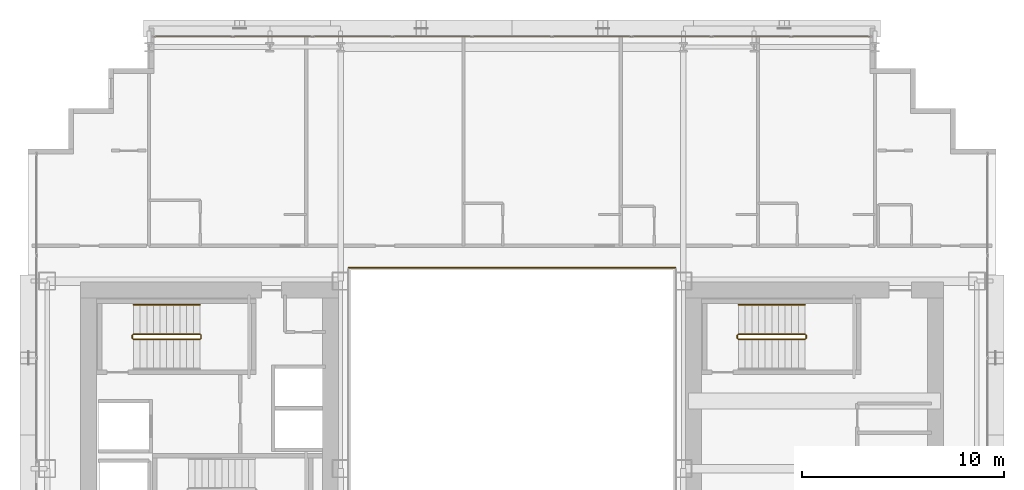
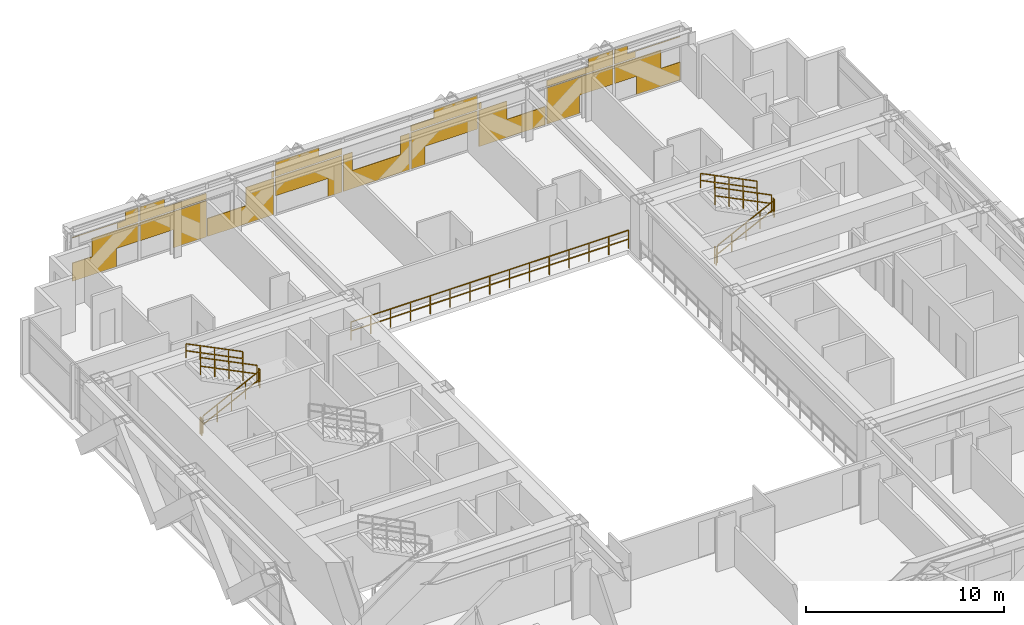
# One storey, part 35 of 35: 11 railings, 1 covering.
"""IFC4 building model written with IfcOpenShell, lengths in metres."""

from ifc_helpers import new_model, si_unit, direction, frame, origin, origin_2d, place, context, subcontext, project, spatial, rectangle, extrude, material, layer, layer_set, type_object, element, save


model = new_model("IFC4")

# Units and contexts
model_context = context("Model", 3, precision=1e-05, world=origin(), true_north=direction((0.0, 1.0)))
body_context = subcontext(model_context, "Body", "Model", "MODEL_VIEW")
ifc_project = project(units=[si_unit("LENGTHUNIT", "METRE"), si_unit("AREAUNIT", "SQUARE_METRE"), si_unit("VOLUMEUNIT", "CUBIC_METRE"), si_unit("PLANEANGLEUNIT", "RADIAN"), si_unit("MASSUNIT", "GRAM", prefix="KILO")], contexts=[model_context])

# Site, building, storey
site_placement = place(None, origin())
site = spatial("IfcSite", under=ifc_project, at=site_placement, CompositionType="ELEMENT")
building_placement = place(site_placement, origin())
building = spatial("IfcBuilding", under=site, at=building_placement, Name="Ocotamira Hotel", CompositionType="ELEMENT")
storey_placement = place(building_placement, frame((0.0, 0.0, 63.60009765625)))
storey = spatial("IfcBuildingStorey", under=building, at=storey_placement, Name="L15", CompositionType="ELEMENT", Elevation=63.60009765625)

# Covering
ifc_material_1 = material(Name="Insulated pale-metal aluminium spandrel panel", Category="aluminium")
ifc_layer = layer(ifc_material_1, 0.044921875)
ifc_layer_set = layer_set([ifc_layer], Name="Insulated pale-metal aluminium spandrel panel")
covering_type = type_object("IfcCoveringType", Name="COV-INFILL-45", PredefinedType="CLADDING", material=ifc_layer_set)
covering_placement = place(storey_placement, origin())
element("IfcCovering", 1, at=covering_placement, inside=storey, type_object=covering_type, Name="L15 Curtain Wall Infill CW-2 CW-L15-N", PredefinedType="CLADDING", context=body_context, shape_type="SweptSolid", body=[
    extrude(rectangle(XDim=2.556396484375, YDim=0.044921875, at=origin_2d()), frame((15.558837890625, 49.580078125, 0.0751953125), z_axis=(0.0, 0.0, 1.0), x_axis=(1.0, 0.0, 0.0)), (0.0, 0.0, 1.0), 1.117919921875),
    extrude(rectangle(XDim=2.7177734375, YDim=0.044921875, at=origin_2d()), frame((16.756103515625, 49.580078125, 1.194091796875), z_axis=(0.0, 0.0, 1.0), x_axis=(1.0, 0.0, 0.0)), (0.0, 0.0, 1.0), 1.11767578125),
    extrude(rectangle(XDim=3.834716796875, YDim=0.044921875, at=origin_2d()), frame((16.19775390625, 49.580078125, 2.7333984375), z_axis=(0.0, 0.0, 1.0), x_axis=(1.0, 0.0, 0.0)), (0.0, 0.0, 1.0), 0.0302734375),
    extrude(rectangle(XDim=1.2255859375, YDim=0.044921875, at=origin_2d()), frame((17.502197265625, 49.580078125, 2.3876953125), z_axis=(0.0, 0.0, 1.0), x_axis=(1.0, 0.0, 0.0)), (0.0, 0.0, 1.0), 0.344482421875),
    extrude(rectangle(XDim=0.754638671875, YDim=0.044921875, at=origin_2d()), frame((17.73779296875, 49.580078125, 2.7646484375), z_axis=(0.0, 0.0, 1.0), x_axis=(1.0, 0.0, 0.0)), (0.0, 0.0, 1.0), 0.509765625),
    extrude(rectangle(XDim=3.87451171875, YDim=0.044921875, at=origin_2d()), frame((20.13330078125, 49.580078125, 1.194091796875), z_axis=(0.0, 0.0, 1.0), x_axis=(1.0, 0.0, 0.0)), (0.0, 0.0, 1.0), 1.11767578125),
    extrude(rectangle(XDim=1.90771484375, YDim=0.044921875, at=origin_2d()), frame((21.11669921875, 49.580078125, 0.0751953125), z_axis=(0.0, 0.0, 1.0), x_axis=(1.0, 0.0, 0.0)), (0.0, 0.0, 1.0), 1.117919921875),
    extrude(rectangle(XDim=3.87451171875, YDim=0.044921875, at=origin_2d()), frame((20.13330078125, 49.580078125, 2.3876953125), z_axis=(0.0, 0.0, 1.0), x_axis=(1.0, 0.0, 0.0)), (0.0, 0.0, 1.0), 0.375732421875),
    extrude(rectangle(XDim=1.443603515625, YDim=0.044921875, at=origin_2d()), frame((18.917724609375, 49.580078125, 2.7646484375), z_axis=(0.0, 0.0, 1.0), x_axis=(1.0, 0.0, 0.0)), (0.0, 0.0, 1.0), 0.509765625),
    extrude(rectangle(XDim=3.87451171875, YDim=0.044921875, at=origin_2d()), frame((24.0888671875, 49.580078125, 0.0751953125), z_axis=(0.0, 0.0, 1.0), x_axis=(1.0, 0.0, 0.0)), (0.0, 0.0, 1.0), 1.117919921875),
    extrude(rectangle(XDim=1.62890625, YDim=0.044921875, at=origin_2d()), frame((25.2119140625, 49.580078125, 1.194091796875), z_axis=(0.0, 0.0, 1.0), x_axis=(1.0, 0.0, 0.0)), (0.0, 0.0, 1.0), 1.11767578125),
    extrude(rectangle(XDim=0.13671875, YDim=0.044921875, at=origin_2d()), frame((25.957763671875, 49.580078125, 2.3876953125), z_axis=(0.0, 0.0, 1.0), x_axis=(1.0, 0.0, 0.0)), (0.0, 0.0, 1.0), 0.375732421875),
    extrude(rectangle(XDim=3.87451171875, YDim=0.044921875, at=origin_2d()), frame((28.04443359375, 49.580078125, 1.194091796875), z_axis=(0.0, 0.0, 1.0), x_axis=(1.0, 0.0, 0.0)), (0.0, 0.0, 1.0), 1.11767578125),
    extrude(rectangle(XDim=0.81884765625, YDim=0.044921875, at=origin_2d()), frame((29.572265625, 49.580078125, 0.0751953125), z_axis=(0.0, 0.0, 1.0), x_axis=(1.0, 0.0, 0.0)), (0.0, 0.0, 1.0), 1.117919921875),
    extrude(rectangle(XDim=3.87451171875, YDim=0.044921875, at=origin_2d()), frame((28.04443359375, 49.580078125, 2.3876953125), z_axis=(0.0, 0.0, 1.0), x_axis=(1.0, 0.0, 0.0)), (0.0, 0.0, 1.0), 0.375732421875),
    extrude(rectangle(XDim=2.532470703125, YDim=0.044921875, at=origin_2d()), frame((27.373291015625, 49.580078125, 2.7646484375), z_axis=(0.0, 0.0, 1.0), x_axis=(1.0, 0.0, 0.0)), (0.0, 0.0, 1.0), 0.509765625),
    extrude(rectangle(XDim=3.87451171875, YDim=0.044921875, at=origin_2d()), frame((32.0, 49.580078125, 0.0751953125), z_axis=(0.0, 0.0, 1.0), x_axis=(1.0, 0.0, 0.0)), (0.0, 0.0, 1.0), 1.117919921875),
    extrude(rectangle(XDim=0.539794921875, YDim=0.044921875, at=origin_2d()), frame((30.332763671875, 49.580078125, 1.194091796875), z_axis=(0.0, 0.0, 1.0), x_axis=(1.0, 0.0, 0.0)), (0.0, 0.0, 1.0), 1.11767578125),
    extrude(rectangle(XDim=0.539794921875, YDim=0.044921875, at=origin_2d()), frame((33.667236328125, 49.580078125, 1.194091796875), z_axis=(0.0, 0.0, 1.0), x_axis=(1.0, 0.0, 0.0)), (0.0, 0.0, 1.0), 1.11767578125),
    extrude(rectangle(XDim=0.81884765625, YDim=0.044921875, at=origin_2d()), frame((34.427734375, 49.580078125, 0.0751953125), z_axis=(0.0, 0.0, 1.0), x_axis=(1.0, 0.0, 0.0)), (0.0, 0.0, 1.0), 1.117919921875),
    extrude(rectangle(XDim=3.87451171875, YDim=0.044921875, at=origin_2d()), frame((35.95556640625, 49.580078125, 1.194091796875), z_axis=(0.0, 0.0, 1.0), x_axis=(1.0, 0.0, 0.0)), (0.0, 0.0, 1.0), 1.11767578125),
    extrude(rectangle(XDim=3.87451171875, YDim=0.044921875, at=origin_2d()), frame((35.95556640625, 49.580078125, 2.3876953125), z_axis=(0.0, 0.0, 1.0), x_axis=(1.0, 0.0, 0.0)), (0.0, 0.0, 1.0), 0.375732421875),
    extrude(rectangle(XDim=2.532470703125, YDim=0.044921875, at=origin_2d()), frame((36.626708984375, 49.580078125, 2.7646484375), z_axis=(0.0, 0.0, 1.0), x_axis=(1.0, 0.0, 0.0)), (0.0, 0.0, 1.0), 0.509765625),
    extrude(rectangle(XDim=3.87451171875, YDim=0.044921875, at=origin_2d()), frame((39.9111328125, 49.580078125, 0.0751953125), z_axis=(0.0, 0.0, 1.0), x_axis=(1.0, 0.0, 0.0)), (0.0, 0.0, 1.0), 1.117919921875),
    extrude(rectangle(XDim=1.62890625, YDim=0.044921875, at=origin_2d()), frame((38.7880859375, 49.580078125, 1.194091796875), z_axis=(0.0, 0.0, 1.0), x_axis=(1.0, 0.0, 0.0)), (0.0, 0.0, 1.0), 1.11767578125),
    extrude(rectangle(XDim=0.13671875, YDim=0.044921875, at=origin_2d()), frame((38.042236328125, 49.580078125, 2.3876953125), z_axis=(0.0, 0.0, 1.0), x_axis=(1.0, 0.0, 0.0)), (0.0, 0.0, 1.0), 0.375732421875),
    extrude(rectangle(XDim=1.90771484375, YDim=0.044921875, at=origin_2d()), frame((42.88330078125, 49.580078125, 0.0751953125), z_axis=(0.0, 0.0, 1.0), x_axis=(1.0, 0.0, 0.0)), (0.0, 0.0, 1.0), 1.117919921875),
    extrude(rectangle(XDim=3.87451171875, YDim=0.044921875, at=origin_2d()), frame((43.86669921875, 49.580078125, 1.194091796875), z_axis=(0.0, 0.0, 1.0), x_axis=(1.0, 0.0, 0.0)), (0.0, 0.0, 1.0), 1.11767578125),
    extrude(rectangle(XDim=3.87451171875, YDim=0.044921875, at=origin_2d()), frame((43.86669921875, 49.580078125, 2.3876953125), z_axis=(0.0, 0.0, 1.0), x_axis=(1.0, 0.0, 0.0)), (0.0, 0.0, 1.0), 0.375732421875),
    extrude(rectangle(XDim=1.443603515625, YDim=0.044921875, at=origin_2d()), frame((45.082275390625, 49.580078125, 2.7646484375), z_axis=(0.0, 0.0, 1.0), x_axis=(1.0, 0.0, 0.0)), (0.0, 0.0, 1.0), 0.509765625),
    extrude(rectangle(XDim=2.7177734375, YDim=0.044921875, at=origin_2d()), frame((47.243896484375, 49.580078125, 1.194091796875), z_axis=(0.0, 0.0, 1.0), x_axis=(1.0, 0.0, 0.0)), (0.0, 0.0, 1.0), 1.11767578125),
    extrude(rectangle(XDim=2.556396484375, YDim=0.044921875, at=origin_2d()), frame((48.441162109375, 49.580078125, 0.0751953125), z_axis=(0.0, 0.0, 1.0), x_axis=(1.0, 0.0, 0.0)), (0.0, 0.0, 1.0), 1.117919921875),
    extrude(rectangle(XDim=1.2255859375, YDim=0.044921875, at=origin_2d()), frame((46.497802734375, 49.580078125, 2.3876953125), z_axis=(0.0, 0.0, 1.0), x_axis=(1.0, 0.0, 0.0)), (0.0, 0.0, 1.0), 0.344482421875),
    extrude(rectangle(XDim=3.834716796875, YDim=0.044921875, at=origin_2d()), frame((47.80224609375, 49.580078125, 2.7333984375), z_axis=(0.0, 0.0, 1.0), x_axis=(1.0, 0.0, 0.0)), (0.0, 0.0, 1.0), 0.0302734375),
    extrude(rectangle(XDim=0.754638671875, YDim=0.044921875, at=origin_2d()), frame((46.26220703125, 49.580078125, 2.7646484375), z_axis=(0.0, 0.0, 1.0), x_axis=(1.0, 0.0, 0.0)), (0.0, 0.0, 1.0), 0.509765625),
])

# Railings
ifc_material_2 = material(Name="Painted steel stair guardrail", Category="steel")
railing_type_1 = type_object("IfcRailingType", Name="RL-EDGE-1150", PredefinedType="GUARDRAIL", material=ifc_material_2)
railing_1_placement = place(storey_placement, frame((40.10009765625, 38.1201171875, 0.0)))
element("IfcRailing", 2, at=railing_1_placement, inside=storey, type_object=railing_type_1, Name="L15 Central Atrium Edge Guardrail N", PredefinedType="GUARDRAIL", context=body_context, shape_type="SweptSolid", body=[
    extrude(rectangle(XDim=0.048095703125, YDim=0.048095703125, at=origin_2d()), frame((0.0, 0.0, 1.1259765625), z_axis=(-1.0, 0.0, 0.0), x_axis=(0.0, -1.0, 0.0)), (0.0, 0.0, 1.0), 16.2001953125),
    extrude(rectangle(XDim=0.048095703125, YDim=0.048095703125, at=origin_2d()), frame((0.0, 0.0, 0.574951171875), z_axis=(-1.0, 0.0, 0.0), x_axis=(0.0, -1.0, 0.0)), (0.0, 0.0, 1.0), 16.2001953125),
    extrude(rectangle(XDim=0.0419921875, YDim=0.0419921875, at=origin_2d()), origin(), (0.0, 0.0, 1.0), 1.101806640625),
    extrude(rectangle(XDim=0.0419921875, YDim=0.0419921875, at=origin_2d()), frame((-1.1572265625, 0.0, 0.0)), (0.0, 0.0, 1.0), 1.101806640625),
    extrude(rectangle(XDim=0.0419921875, YDim=0.0419921875, at=origin_2d()), frame((-2.314208984375, 0.0, 0.0)), (0.0, 0.0, 1.0), 1.101806640625),
    extrude(rectangle(XDim=0.0419921875, YDim=0.0419921875, at=origin_2d()), frame((-3.471435546875, 0.0, 0.0)), (0.0, 0.0, 1.0), 1.101806640625),
    extrude(rectangle(XDim=0.0419921875, YDim=0.0419921875, at=origin_2d()), frame((-4.628662109375, 0.0, 0.0)), (0.0, 0.0, 1.0), 1.101806640625),
    extrude(rectangle(XDim=0.0419921875, YDim=0.0419921875, at=origin_2d()), frame((-5.785888671875, 0.0, 0.0)), (0.0, 0.0, 1.0), 1.101806640625),
    extrude(rectangle(XDim=0.0419921875, YDim=0.0419921875, at=origin_2d()), frame((-6.94287109375, 0.0, 0.0)), (0.0, 0.0, 1.0), 1.101806640625),
    extrude(rectangle(XDim=0.0419921875, YDim=0.0419921875, at=origin_2d()), frame((-8.10009765625, 0.0, 0.0)), (0.0, 0.0, 1.0), 1.101806640625),
    extrude(rectangle(XDim=0.0419921875, YDim=0.0419921875, at=origin_2d()), frame((-9.25732421875, 0.0, 0.0)), (0.0, 0.0, 1.0), 1.101806640625),
    extrude(rectangle(XDim=0.0419921875, YDim=0.0419921875, at=origin_2d()), frame((-10.414306640625, 0.0, 0.0)), (0.0, 0.0, 1.0), 1.101806640625),
    extrude(rectangle(XDim=0.0419921875, YDim=0.0419921875, at=origin_2d()), frame((-11.571533203125, 0.0, 0.0)), (0.0, 0.0, 1.0), 1.101806640625),
    extrude(rectangle(XDim=0.0419921875, YDim=0.0419921875, at=origin_2d()), frame((-12.728759765625, 0.0, 0.0)), (0.0, 0.0, 1.0), 1.101806640625),
    extrude(rectangle(XDim=0.0419921875, YDim=0.0419921875, at=origin_2d()), frame((-13.885986328125, 0.0, 0.0)), (0.0, 0.0, 1.0), 1.101806640625),
    extrude(rectangle(XDim=0.0419921875, YDim=0.0419921875, at=origin_2d()), frame((-15.04296875, 0.0, 0.0)), (0.0, 0.0, 1.0), 1.101806640625),
    extrude(rectangle(XDim=0.0419921875, YDim=0.0419921875, at=origin_2d()), frame((-16.2001953125, 0.0, 0.0)), (0.0, 0.0, 1.0), 1.101806640625),
])
ifc_material_3 = material(Name="Brushed stainless steel handrail", Category="steel")
railing_type_2 = type_object("IfcRailingType", Name="RL-HAND-900", PredefinedType="HANDRAIL", material=ifc_material_3)
for number, where, name in (
    (3, (16.530029296875, 36.280029296875, 2.127197265625), "L15 ST-2 stair handrail 2"),
    (4, (46.530029296875, 36.280029296875, 2.127197265625), "L15 ST-4 stair handrail 2"),
):
    element("IfcRailing", number, at=place(storey_placement, frame(where)), inside=storey, type_object=railing_type_2, Name=name, PredefinedType="HANDRAIL", context=body_context, shape_type="SweptSolid", body=[
        extrude(rectangle(XDim=0.048095703125, YDim=0.048095703125, at=origin_2d()), frame((0.0, 0.0, 0.8759765625), z_axis=(-0.895920123917, 0.0, 0.444215186098), x_axis=(0.0, -1.0, 0.0)), (0.0, 0.0, 1.0), 3.683349609375),
        extrude(rectangle(XDim=0.048095703125, YDim=0.048095703125, at=origin_2d()), frame((0.0, 0.0, 0.449951171875), z_axis=(-0.895920123917, 0.0, 0.444215186098), x_axis=(0.0, -1.0, 0.0)), (0.0, 0.0, 1.0), 3.683349609375),
        extrude(rectangle(XDim=0.0419921875, YDim=0.0419921875, at=origin_2d()), origin(), (0.0, 0.0, 1.0), 0.851806640625),
        extrude(rectangle(XDim=0.0419921875, YDim=0.0419921875, at=origin_2d()), frame((-0.824951171875, 0.0, 0.4091796875)), (0.0, 0.0, 1.0), 0.851806640625),
        extrude(rectangle(XDim=0.0419921875, YDim=0.0419921875, at=origin_2d()), frame((-1.64990234375, 0.0, 0.818115234375)), (0.0, 0.0, 1.0), 0.851806640625),
        extrude(rectangle(XDim=0.0419921875, YDim=0.0419921875, at=origin_2d()), frame((-2.47509765625, 0.0, 1.22705078125)), (0.0, 0.0, 1.0), 0.851806640625),
        extrude(rectangle(XDim=0.0419921875, YDim=0.0419921875, at=origin_2d()), frame((-3.300048828125, 0.0, 1.63623046875)), (0.0, 0.0, 1.0), 0.851806640625),
    ])
railing_type_3 = type_object("IfcRailingType", Name="RL-STAIR-1100", PredefinedType="GUARDRAIL", material=ifc_material_2)
railing_2_placement = place(storey_placement, frame((13.22998046875, 34.56005859375, 0.16357421875)))
element("IfcRailing", 5, at=railing_2_placement, inside=storey, type_object=railing_type_3, Name="L15 ST-2 stair guard 1", PredefinedType="GUARDRAIL", context=body_context, shape_type="SweptSolid", body=[
    extrude(rectangle(XDim=0.048095703125, YDim=0.048095703125, at=origin_2d()), frame((0.0, 0.0, 1.076171875), z_axis=(0.895920123917, 0.0, 0.444215186098), x_axis=(0.0, 1.0, 0.0)), (0.0, 0.0, 1.0), 3.683349609375),
    extrude(rectangle(XDim=0.048095703125, YDim=0.048095703125, at=origin_2d()), frame((0.0, 0.0, 0.550048828125), z_axis=(0.895920123917, 0.0, 0.444215186098), x_axis=(0.0, 1.0, 0.0)), (0.0, 0.0, 1.0), 3.683349609375),
    extrude(rectangle(XDim=0.0419921875, YDim=0.0419921875, at=origin_2d()), origin(), (0.0, 0.0, 1.0), 1.052001953125),
    extrude(rectangle(XDim=0.0419921875, YDim=0.0419921875, at=origin_2d()), frame((0.824951171875, 0.0, 0.4091796875)), (0.0, 0.0, 1.0), 1.052001953125),
    extrude(rectangle(XDim=0.0419921875, YDim=0.0419921875, at=origin_2d()), frame((1.64990234375, 0.0, 0.818115234375)), (0.0, 0.0, 1.0), 1.052001953125),
    extrude(rectangle(XDim=0.0419921875, YDim=0.0419921875, at=origin_2d()), frame((2.47509765625, 0.0, 1.22705078125)), (0.0, 0.0, 1.0), 1.052001953125),
    extrude(rectangle(XDim=0.0419921875, YDim=0.0419921875, at=origin_2d()), frame((3.300048828125, 0.0, 1.63623046875)), (0.0, 0.0, 1.0), 1.052001953125),
])
railing_3_placement = place(storey_placement, frame((16.580078125, 34.610107421875, 1.7998046875)))
element("IfcRailing", 6, at=railing_3_placement, inside=storey, type_object=railing_type_3, Name="L15 ST-2 stair guard 2", PredefinedType="GUARDRAIL", context=body_context, shape_type="SweptSolid", body=[
    extrude(rectangle(XDim=0.048095703125, YDim=0.048095703125, at=origin_2d()), frame((0.0, 0.0, 1.076171875), z_axis=(0.0, 1.0, 0.0), x_axis=(-1.0, 0.0, 0.0)), (0.0, 0.0, 1.0), 0.159912109375),
    extrude(rectangle(XDim=0.048095703125, YDim=0.048095703125, at=origin_2d()), frame((0.0, 0.0, 0.550048828125), z_axis=(0.0, 1.0, 0.0), x_axis=(-1.0, 0.0, 0.0)), (0.0, 0.0, 1.0), 0.159912109375),
    extrude(rectangle(XDim=0.0419921875, YDim=0.0419921875, at=origin_2d()), origin(), (0.0, 0.0, 1.0), 1.052001953125),
    extrude(rectangle(XDim=0.0419921875, YDim=0.0419921875, at=origin_2d()), frame((0.0, 0.159912109375, 0.0)), (0.0, 0.0, 1.0), 1.052001953125),
])
railing_4_placement = place(storey_placement, frame((16.530029296875, 34.820068359375, 1.963623046875)))
element("IfcRailing", 7, at=railing_4_placement, inside=storey, type_object=railing_type_3, Name="L15 ST-2 stair guard 3", PredefinedType="GUARDRAIL", context=body_context, shape_type="SweptSolid", body=[
    extrude(rectangle(XDim=0.048095703125, YDim=0.048095703125, at=origin_2d()), frame((0.0, 0.0, 1.076171875), z_axis=(-0.895920123917, 0.0, 0.444215186098), x_axis=(0.0, -1.0, 0.0)), (0.0, 0.0, 1.0), 3.683349609375),
    extrude(rectangle(XDim=0.048095703125, YDim=0.048095703125, at=origin_2d()), frame((0.0, 0.0, 0.550048828125), z_axis=(-0.895920123917, 0.0, 0.444215186098), x_axis=(0.0, -1.0, 0.0)), (0.0, 0.0, 1.0), 3.683349609375),
    extrude(rectangle(XDim=0.0419921875, YDim=0.0419921875, at=origin_2d()), origin(), (0.0, 0.0, 1.0), 1.052001953125),
    extrude(rectangle(XDim=0.0419921875, YDim=0.0419921875, at=origin_2d()), frame((-0.824951171875, 0.0, 0.4091796875)), (0.0, 0.0, 1.0), 1.052001953125),
    extrude(rectangle(XDim=0.0419921875, YDim=0.0419921875, at=origin_2d()), frame((-1.64990234375, 0.0, 0.818115234375)), (0.0, 0.0, 1.0), 1.052001953125),
    extrude(rectangle(XDim=0.0419921875, YDim=0.0419921875, at=origin_2d()), frame((-2.47509765625, 0.0, 1.22705078125)), (0.0, 0.0, 1.0), 1.052001953125),
    extrude(rectangle(XDim=0.0419921875, YDim=0.0419921875, at=origin_2d()), frame((-3.300048828125, 0.0, 1.63623046875)), (0.0, 0.0, 1.0), 1.052001953125),
])
railing_5_placement = place(storey_placement, frame((13.179931640625, 34.610107421875, 0.0)))
element("IfcRailing", 8, at=railing_5_placement, inside=storey, type_object=railing_type_3, Name="L15 ST-2 stair guard 4", PredefinedType="GUARDRAIL", context=body_context, shape_type="SweptSolid", body=[
    extrude(rectangle(XDim=0.048095703125, YDim=0.048095703125, at=origin_2d()), frame((0.0, 0.0, 1.076171875), z_axis=(0.0, 1.0, 0.0), x_axis=(-1.0, 0.0, 0.0)), (0.0, 0.0, 1.0), 0.159912109375),
    extrude(rectangle(XDim=0.048095703125, YDim=0.048095703125, at=origin_2d()), frame((0.0, 0.0, 0.550048828125), z_axis=(0.0, 1.0, 0.0), x_axis=(-1.0, 0.0, 0.0)), (0.0, 0.0, 1.0), 0.159912109375),
    extrude(rectangle(XDim=0.0419921875, YDim=0.0419921875, at=origin_2d()), origin(), (0.0, 0.0, 1.0), 1.052001953125),
    extrude(rectangle(XDim=0.0419921875, YDim=0.0419921875, at=origin_2d()), frame((0.0, 0.159912109375, 0.0)), (0.0, 0.0, 1.0), 1.052001953125),
])
railing_6_placement = place(storey_placement, frame((43.22998046875, 34.56005859375, 0.16357421875)))
element("IfcRailing", 9, at=railing_6_placement, inside=storey, type_object=railing_type_3, Name="L15 ST-4 stair guard 1", PredefinedType="GUARDRAIL", context=body_context, shape_type="SweptSolid", body=[
    extrude(rectangle(XDim=0.048095703125, YDim=0.048095703125, at=origin_2d()), frame((0.0, 0.0, 1.076171875), z_axis=(0.895920123917, 0.0, 0.444215186098), x_axis=(0.0, 1.0, 0.0)), (0.0, 0.0, 1.0), 3.683349609375),
    extrude(rectangle(XDim=0.048095703125, YDim=0.048095703125, at=origin_2d()), frame((0.0, 0.0, 0.550048828125), z_axis=(0.895920123917, 0.0, 0.444215186098), x_axis=(0.0, 1.0, 0.0)), (0.0, 0.0, 1.0), 3.683349609375),
    extrude(rectangle(XDim=0.0419921875, YDim=0.0419921875, at=origin_2d()), origin(), (0.0, 0.0, 1.0), 1.052001953125),
    extrude(rectangle(XDim=0.0419921875, YDim=0.0419921875, at=origin_2d()), frame((0.824951171875, 0.0, 0.4091796875)), (0.0, 0.0, 1.0), 1.052001953125),
    extrude(rectangle(XDim=0.0419921875, YDim=0.0419921875, at=origin_2d()), frame((1.64990234375, 0.0, 0.818115234375)), (0.0, 0.0, 1.0), 1.052001953125),
    extrude(rectangle(XDim=0.0419921875, YDim=0.0419921875, at=origin_2d()), frame((2.47509765625, 0.0, 1.22705078125)), (0.0, 0.0, 1.0), 1.052001953125),
    extrude(rectangle(XDim=0.0419921875, YDim=0.0419921875, at=origin_2d()), frame((3.300048828125, 0.0, 1.63623046875)), (0.0, 0.0, 1.0), 1.052001953125),
])
railing_7_placement = place(storey_placement, frame((46.580078125, 34.610107421875, 1.7998046875)))
element("IfcRailing", 10, at=railing_7_placement, inside=storey, type_object=railing_type_3, Name="L15 ST-4 stair guard 2", PredefinedType="GUARDRAIL", context=body_context, shape_type="SweptSolid", body=[
    extrude(rectangle(XDim=0.048095703125, YDim=0.048095703125, at=origin_2d()), frame((0.0, 0.0, 1.076171875), z_axis=(0.0, 1.0, 0.0), x_axis=(-1.0, 0.0, 0.0)), (0.0, 0.0, 1.0), 0.159912109375),
    extrude(rectangle(XDim=0.048095703125, YDim=0.048095703125, at=origin_2d()), frame((0.0, 0.0, 0.550048828125), z_axis=(0.0, 1.0, 0.0), x_axis=(-1.0, 0.0, 0.0)), (0.0, 0.0, 1.0), 0.159912109375),
    extrude(rectangle(XDim=0.0419921875, YDim=0.0419921875, at=origin_2d()), origin(), (0.0, 0.0, 1.0), 1.052001953125),
    extrude(rectangle(XDim=0.0419921875, YDim=0.0419921875, at=origin_2d()), frame((0.0, 0.159912109375, 0.0)), (0.0, 0.0, 1.0), 1.052001953125),
])
railing_8_placement = place(storey_placement, frame((46.530029296875, 34.820068359375, 1.963623046875)))
element("IfcRailing", 11, at=railing_8_placement, inside=storey, type_object=railing_type_3, Name="L15 ST-4 stair guard 3", PredefinedType="GUARDRAIL", context=body_context, shape_type="SweptSolid", body=[
    extrude(rectangle(XDim=0.048095703125, YDim=0.048095703125, at=origin_2d()), frame((0.0, 0.0, 1.076171875), z_axis=(-0.895920123917, 0.0, 0.444215186098), x_axis=(0.0, -1.0, 0.0)), (0.0, 0.0, 1.0), 3.683349609375),
    extrude(rectangle(XDim=0.048095703125, YDim=0.048095703125, at=origin_2d()), frame((0.0, 0.0, 0.550048828125), z_axis=(-0.895920123917, 0.0, 0.444215186098), x_axis=(0.0, -1.0, 0.0)), (0.0, 0.0, 1.0), 3.683349609375),
    extrude(rectangle(XDim=0.0419921875, YDim=0.0419921875, at=origin_2d()), origin(), (0.0, 0.0, 1.0), 1.052001953125),
    extrude(rectangle(XDim=0.0419921875, YDim=0.0419921875, at=origin_2d()), frame((-0.824951171875, 0.0, 0.4091796875)), (0.0, 0.0, 1.0), 1.052001953125),
    extrude(rectangle(XDim=0.0419921875, YDim=0.0419921875, at=origin_2d()), frame((-1.64990234375, 0.0, 0.818115234375)), (0.0, 0.0, 1.0), 1.052001953125),
    extrude(rectangle(XDim=0.0419921875, YDim=0.0419921875, at=origin_2d()), frame((-2.47509765625, 0.0, 1.22705078125)), (0.0, 0.0, 1.0), 1.052001953125),
    extrude(rectangle(XDim=0.0419921875, YDim=0.0419921875, at=origin_2d()), frame((-3.300048828125, 0.0, 1.63623046875)), (0.0, 0.0, 1.0), 1.052001953125),
])
railing_9_placement = place(storey_placement, frame((43.179931640625, 34.610107421875, 0.0)))
element("IfcRailing", 12, at=railing_9_placement, inside=storey, type_object=railing_type_3, Name="L15 ST-4 stair guard 4", PredefinedType="GUARDRAIL", context=body_context, shape_type="SweptSolid", body=[
    extrude(rectangle(XDim=0.048095703125, YDim=0.048095703125, at=origin_2d()), frame((0.0, 0.0, 1.076171875), z_axis=(0.0, 1.0, 0.0), x_axis=(-1.0, 0.0, 0.0)), (0.0, 0.0, 1.0), 0.159912109375),
    extrude(rectangle(XDim=0.048095703125, YDim=0.048095703125, at=origin_2d()), frame((0.0, 0.0, 0.550048828125), z_axis=(0.0, 1.0, 0.0), x_axis=(-1.0, 0.0, 0.0)), (0.0, 0.0, 1.0), 0.159912109375),
    extrude(rectangle(XDim=0.0419921875, YDim=0.0419921875, at=origin_2d()), origin(), (0.0, 0.0, 1.0), 1.052001953125),
    extrude(rectangle(XDim=0.0419921875, YDim=0.0419921875, at=origin_2d()), frame((0.0, 0.159912109375, 0.0)), (0.0, 0.0, 1.0), 1.052001953125),
])

save(model, "model.ifc")
